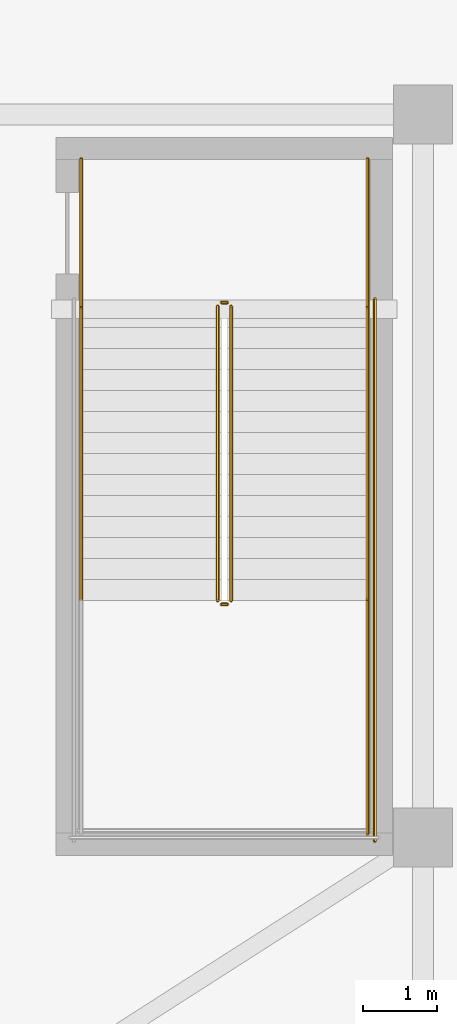
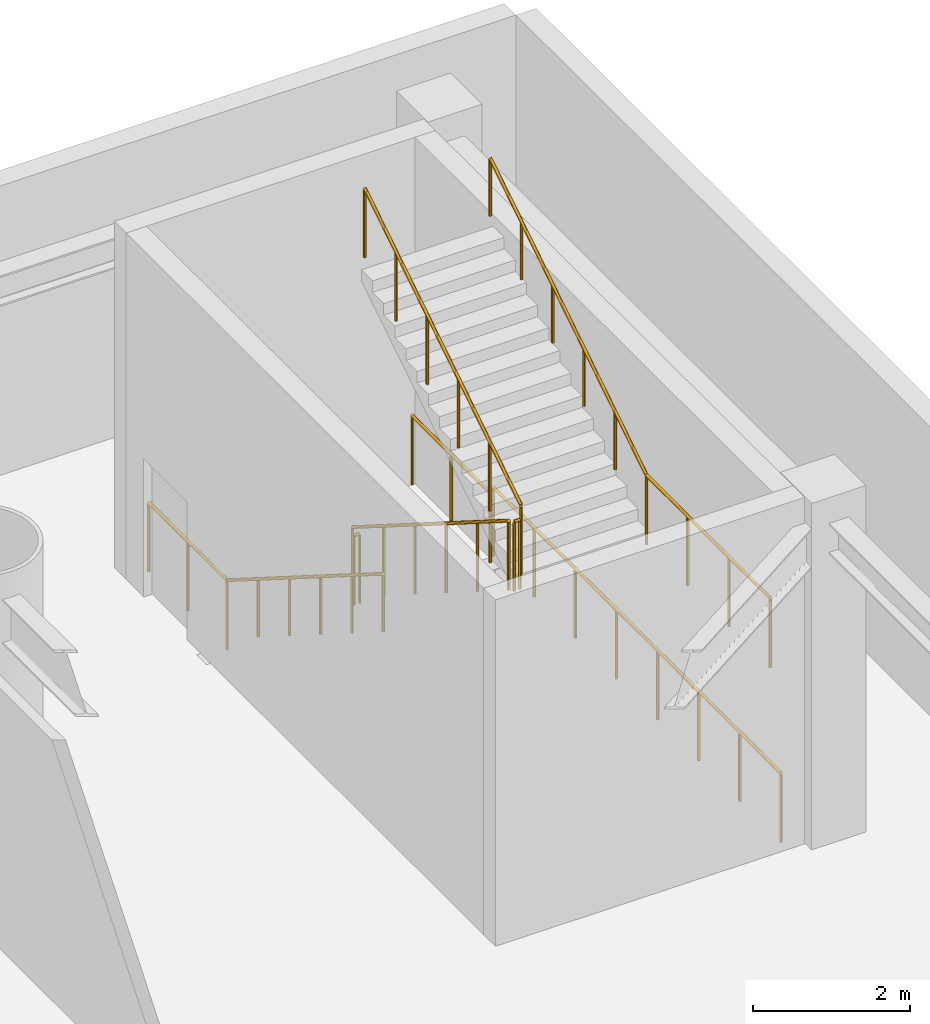
# One storey, part 16 of 16: 10 railings.
"""IFC4 building model written with IfcOpenShell, lengths in metres."""

from ifc_helpers import new_model, si_unit, direction, frame, origin, origin_2d, place, context, subcontext, project, spatial, circle, extrude, material, type_object, element, save


model = new_model("IFC4")

# Units and contexts
model_context = context("Model", 3, precision=1e-05, world=origin(), true_north=direction((0.0, 1.0)))
body_context = subcontext(model_context, "Body", "Model", "MODEL_VIEW")
ifc_project = project(units=[si_unit("LENGTHUNIT", "METRE"), si_unit("AREAUNIT", "SQUARE_METRE"), si_unit("VOLUMEUNIT", "CUBIC_METRE"), si_unit("PLANEANGLEUNIT", "RADIAN"), si_unit("MASSUNIT", "GRAM", prefix="KILO")], contexts=[model_context])

# Site, building, storey
site_placement = place(None, origin())
site = spatial("IfcSite", under=ifc_project, at=site_placement, CompositionType="ELEMENT")
building_placement = place(site_placement, origin())
building = spatial("IfcBuilding", under=site, at=building_placement, Name="Bramvorn Convention Spire", CompositionType="ELEMENT")
storey_placement = place(building_placement, frame((0.0, 0.0, 30.0)))
storey = spatial("IfcBuildingStorey", under=building, at=storey_placement, Name="L05", CompositionType="ELEMENT", Elevation=30.0)

# Railings
ifc_material_1 = material(Name="Painted Steel Balustrade & Guardrail", Category="steel")
railing_type_1 = type_object("IfcRailingType", Name="RL-STAIR-GUARD-1100", PredefinedType="GUARDRAIL", material=ifc_material_1)
railing_1_placement = place(storey_placement, frame((70.419921875, 46.800048828125, 0.179931640625)))
element("IfcRailing", 1, at=railing_1_placement, inside=storey, type_object=railing_type_1, Name="L05 ST5 stair guard 1", PredefinedType="GUARDRAIL", context=body_context, shape_type="SweptSolid", body=[
    extrude(circle(Radius=0.02392578125, at=origin_2d()), frame((0.0, 0.0, 1.076171875), z_axis=(0.0, -0.845486444383, 0.533996884227), x_axis=(1.0, 0.0, 0.0)), (0.0, 0.0, 1.0), 4.71923828125),
    extrude(circle(Radius=0.02099609375, at=origin_2d()), origin(), (0.0, 0.0, 1.0), 1.052001953125),
    extrude(circle(Radius=0.02099609375, at=origin_2d()), frame((0.0, -0.798095703125, 0.50390625)), (0.0, 0.0, 1.0), 1.052001953125),
    extrude(circle(Radius=0.02099609375, at=origin_2d()), frame((0.0, -1.595947265625, 1.008056640625)), (0.0, 0.0, 1.0), 1.052001953125),
    extrude(circle(Radius=0.02099609375, at=origin_2d()), frame((0.0, -2.39404296875, 1.511962890625)), (0.0, 0.0, 1.0), 1.052001953125),
    extrude(circle(Radius=0.02099609375, at=origin_2d()), frame((0.0, -3.19189453125, 2.01611328125)), (0.0, 0.0, 1.0), 1.052001953125),
    extrude(circle(Radius=0.02099609375, at=origin_2d()), frame((0.0, -3.989990234375, 2.52001953125)), (0.0, 0.0, 1.0), 1.052001953125),
])
railing_2_placement = place(storey_placement, frame((70.469970703125, 42.760009765625, 2.699951171875)))
element("IfcRailing", 2, at=railing_2_placement, inside=storey, type_object=railing_type_1, Name="L05 ST5 stair guard 2", PredefinedType="GUARDRAIL", context=body_context, shape_type="SweptSolid", body=[
    extrude(circle(Radius=0.02392578125, at=origin_2d()), frame((0.0, 0.0, 1.076171875), z_axis=(1.0, 0.0, 0.0), x_axis=(0.0, 1.0, 0.0)), (0.0, 0.0, 1.0), 0.080078125),
    extrude(circle(Radius=0.02099609375, at=origin_2d()), origin(), (0.0, 0.0, 1.0), 1.052001953125),
    extrude(circle(Radius=0.02099609375, at=origin_2d()), frame((0.080078125, 0.0, 0.0)), (0.0, 0.0, 1.0), 1.052001953125),
])
railing_3_placement = place(storey_placement, frame((72.449951171875, 42.81005859375, 2.699951171875)))
element("IfcRailing", 3, at=railing_3_placement, inside=storey, type_object=railing_type_1, Name="L05 ST5 stair guard 4", PredefinedType="GUARDRAIL", context=body_context, shape_type="SweptSolid", body=[
    extrude(circle(Radius=0.02392578125, at=origin_2d()), frame((0.0, 0.0, 1.076171875), z_axis=(0.0, -1.0, 0.0), x_axis=(1.0, 0.0, 0.0)), (0.0, 0.0, 1.0), 3.16015625),
    extrude(circle(Radius=0.02099609375, at=origin_2d()), origin(), (0.0, 0.0, 1.0), 1.052001953125),
    extrude(circle(Radius=0.02099609375, at=origin_2d()), frame((0.0, -1.053466796875, 0.0)), (0.0, 0.0, 1.0), 1.052001953125),
    extrude(circle(Radius=0.02099609375, at=origin_2d()), frame((0.0, -2.106689453125, 0.0)), (0.0, 0.0, 1.0), 1.052001953125),
    extrude(circle(Radius=0.02099609375, at=origin_2d()), frame((0.0, -3.16015625, 0.0)), (0.0, 0.0, 1.0), 1.052001953125),
])
railing_4_placement = place(storey_placement, frame((70.60009765625, 42.81005859375, 2.8798828125)))
element("IfcRailing", 4, at=railing_4_placement, inside=storey, type_object=railing_type_1, Name="L05 ST5 stair guard 6", PredefinedType="GUARDRAIL", context=body_context, shape_type="SweptSolid", body=[
    extrude(circle(Radius=0.02392578125, at=origin_2d()), frame((0.0, 0.0, 1.076171875), z_axis=(0.0, 0.845486444383, 0.533996884227), x_axis=(-1.0, 0.0, 0.0)), (0.0, 0.0, 1.0), 4.71923828125),
    extrude(circle(Radius=0.02099609375, at=origin_2d()), origin(), (0.0, 0.0, 1.0), 1.052001953125),
    extrude(circle(Radius=0.02099609375, at=origin_2d()), frame((0.0, 0.798095703125, 0.50390625)), (0.0, 0.0, 1.0), 1.052001953125),
    extrude(circle(Radius=0.02099609375, at=origin_2d()), frame((0.0, 1.595947265625, 1.008056640625)), (0.0, 0.0, 1.0), 1.052001953125),
    extrude(circle(Radius=0.02099609375, at=origin_2d()), frame((0.0, 2.39404296875, 1.511962890625)), (0.0, 0.0, 1.0), 1.052001953125),
    extrude(circle(Radius=0.02099609375, at=origin_2d()), frame((0.0, 3.19189453125, 2.01611328125)), (0.0, 0.0, 1.0), 1.052001953125),
    extrude(circle(Radius=0.02099609375, at=origin_2d()), frame((0.0, 3.989990234375, 2.52001953125)), (0.0, 0.0, 1.0), 1.052001953125),
])
railing_5_placement = place(storey_placement, frame((70.469970703125, 46.85009765625, 0.0)))
element("IfcRailing", 5, at=railing_5_placement, inside=storey, type_object=railing_type_1, Name="L05 ST5 stair guard 7", PredefinedType="GUARDRAIL", context=body_context, shape_type="SweptSolid", body=[
    extrude(circle(Radius=0.02392578125, at=origin_2d()), frame((0.0, 0.0, 1.076171875), z_axis=(1.0, 0.0, 0.0), x_axis=(0.0, 1.0, 0.0)), (0.0, 0.0, 1.0), 0.080078125),
    extrude(circle(Radius=0.02099609375, at=origin_2d()), origin(), (0.0, 0.0, 1.0), 1.052001953125),
    extrude(circle(Radius=0.02099609375, at=origin_2d()), frame((0.080078125, 0.0, 0.0)), (0.0, 0.0, 1.0), 1.052001953125),
])
for number, where, name in (
    (6, (68.570068359375, 48.800048828125, 0.0), "L05 ST5 stair guard 8"),
    (7, (72.449951171875, 48.800048828125, 0.0), "L05 ST5 stair guard 9"),
):
    element("IfcRailing", number, at=place(storey_placement, frame(where)), inside=storey, type_object=railing_type_1, Name=name, PredefinedType="GUARDRAIL", context=body_context, shape_type="SweptSolid", body=[
        extrude(circle(Radius=0.02392578125, at=origin_2d()), frame((0.0, 0.0, 1.076171875), z_axis=(0.0, -1.0, 0.0), x_axis=(1.0, 0.0, 0.0)), (0.0, 0.0, 1.0), 2.0),
        extrude(circle(Radius=0.02099609375, at=origin_2d()), origin(), (0.0, 0.0, 1.0), 1.052001953125),
        extrude(circle(Radius=0.02099609375, at=origin_2d()), frame((0.0, -1.0, 0.0)), (0.0, 0.0, 1.0), 1.052001953125),
        extrude(circle(Radius=0.02099609375, at=origin_2d()), frame((0.0, -2.0, 0.0)), (0.0, 0.0, 1.0), 1.052001953125),
    ])
railing_6_placement = place(storey_placement, frame((72.550048828125, 46.89990234375, 0.0)))
element("IfcRailing", 8, at=railing_6_placement, inside=storey, type_object=railing_type_1, Name="L05 ST5 stair guard 11", PredefinedType="GUARDRAIL", context=body_context, shape_type="SweptSolid", body=[
    extrude(circle(Radius=0.02392578125, at=origin_2d()), frame((0.0, 0.0, 1.076171875), z_axis=(0.0, -1.0, 0.0), x_axis=(1.0, 0.0, 0.0)), (0.0, 0.0, 1.0), 7.349853515625),
    extrude(circle(Radius=0.02099609375, at=origin_2d()), origin(), (0.0, 0.0, 1.0), 1.052001953125),
    extrude(circle(Radius=0.02099609375, at=origin_2d()), frame((0.0, -1.050048828125, 0.0)), (0.0, 0.0, 1.0), 1.052001953125),
    extrude(circle(Radius=0.02099609375, at=origin_2d()), frame((0.0, -2.099853515625, 0.0)), (0.0, 0.0, 1.0), 1.052001953125),
    extrude(circle(Radius=0.02099609375, at=origin_2d()), frame((0.0, -3.14990234375, 0.0)), (0.0, 0.0, 1.0), 1.052001953125),
    extrude(circle(Radius=0.02099609375, at=origin_2d()), frame((0.0, -4.199951171875, 0.0)), (0.0, 0.0, 1.0), 1.052001953125),
    extrude(circle(Radius=0.02099609375, at=origin_2d()), frame((0.0, -5.25, 0.0)), (0.0, 0.0, 1.0), 1.052001953125),
    extrude(circle(Radius=0.02099609375, at=origin_2d()), frame((0.0, -6.2998046875, 0.0)), (0.0, 0.0, 1.0), 1.052001953125),
    extrude(circle(Radius=0.02099609375, at=origin_2d()), frame((0.0, -7.349853515625, 0.0)), (0.0, 0.0, 1.0), 1.052001953125),
])
ifc_material_2 = material(Name="Brushed Bronze Tubular Handrail", Category="aluminium")
railing_type_2 = type_object("IfcRailingType", Name="RL-STAIR-HR-920", PredefinedType="HANDRAIL", material=ifc_material_2)
railing_7_placement = place(storey_placement, frame((68.570068359375, 46.800048828125, 0.179931640625)))
element("IfcRailing", 9, at=railing_7_placement, inside=storey, type_object=railing_type_2, Name="L05 ST5 stair handrail 1", PredefinedType="HANDRAIL", context=body_context, shape_type="SweptSolid", body=[
    extrude(circle(Radius=0.02392578125, at=origin_2d()), frame((0.0, 0.0, 0.89599609375), z_axis=(0.0, -0.845486444383, 0.533996884227), x_axis=(1.0, 0.0, 0.0)), (0.0, 0.0, 1.0), 4.71923828125),
    extrude(circle(Radius=0.02099609375, at=origin_2d()), origin(), (0.0, 0.0, 1.0), 0.871826171875),
    extrude(circle(Radius=0.02099609375, at=origin_2d()), frame((0.0, -0.798095703125, 0.50390625)), (0.0, 0.0, 1.0), 0.871826171875),
    extrude(circle(Radius=0.02099609375, at=origin_2d()), frame((0.0, -1.595947265625, 1.008056640625)), (0.0, 0.0, 1.0), 0.871826171875),
    extrude(circle(Radius=0.02099609375, at=origin_2d()), frame((0.0, -2.39404296875, 1.511962890625)), (0.0, 0.0, 1.0), 0.871826171875),
    extrude(circle(Radius=0.02099609375, at=origin_2d()), frame((0.0, -3.19189453125, 2.01611328125)), (0.0, 0.0, 1.0), 0.871826171875),
    extrude(circle(Radius=0.02099609375, at=origin_2d()), frame((0.0, -3.989990234375, 2.52001953125)), (0.0, 0.0, 1.0), 0.871826171875),
])
railing_8_placement = place(storey_placement, frame((72.449951171875, 42.81005859375, 2.8798828125)))
element("IfcRailing", 10, at=railing_8_placement, inside=storey, type_object=railing_type_2, Name="L05 ST5 stair handrail 2", PredefinedType="HANDRAIL", context=body_context, shape_type="SweptSolid", body=[
    extrude(circle(Radius=0.02392578125, at=origin_2d()), frame((0.0, 0.0, 0.89599609375), z_axis=(0.0, 0.845486444383, 0.533996884227), x_axis=(-1.0, 0.0, 0.0)), (0.0, 0.0, 1.0), 4.71923828125),
    extrude(circle(Radius=0.02099609375, at=origin_2d()), origin(), (0.0, 0.0, 1.0), 0.871826171875),
    extrude(circle(Radius=0.02099609375, at=origin_2d()), frame((0.0, 0.798095703125, 0.50390625)), (0.0, 0.0, 1.0), 0.871826171875),
    extrude(circle(Radius=0.02099609375, at=origin_2d()), frame((0.0, 1.595947265625, 1.008056640625)), (0.0, 0.0, 1.0), 0.871826171875),
    extrude(circle(Radius=0.02099609375, at=origin_2d()), frame((0.0, 2.39404296875, 1.511962890625)), (0.0, 0.0, 1.0), 0.871826171875),
    extrude(circle(Radius=0.02099609375, at=origin_2d()), frame((0.0, 3.19189453125, 2.01611328125)), (0.0, 0.0, 1.0), 0.871826171875),
    extrude(circle(Radius=0.02099609375, at=origin_2d()), frame((0.0, 3.989990234375, 2.52001953125)), (0.0, 0.0, 1.0), 0.871826171875),
])

save(model, "model.ifc")
